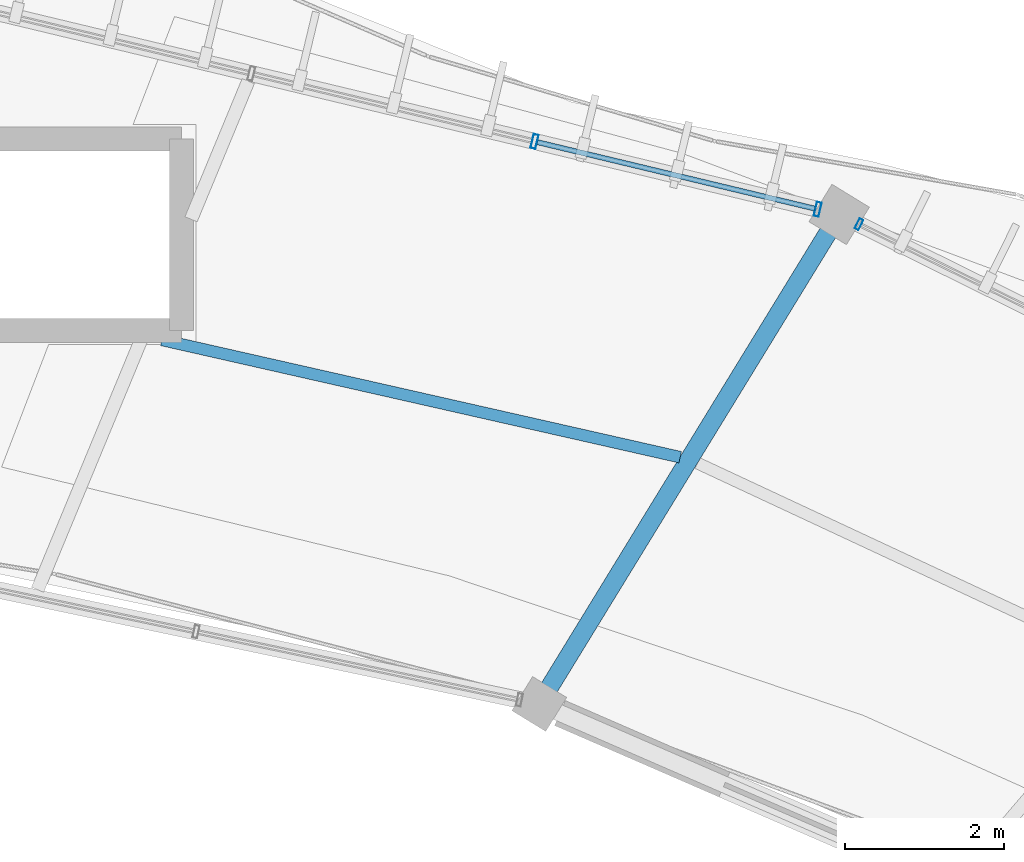
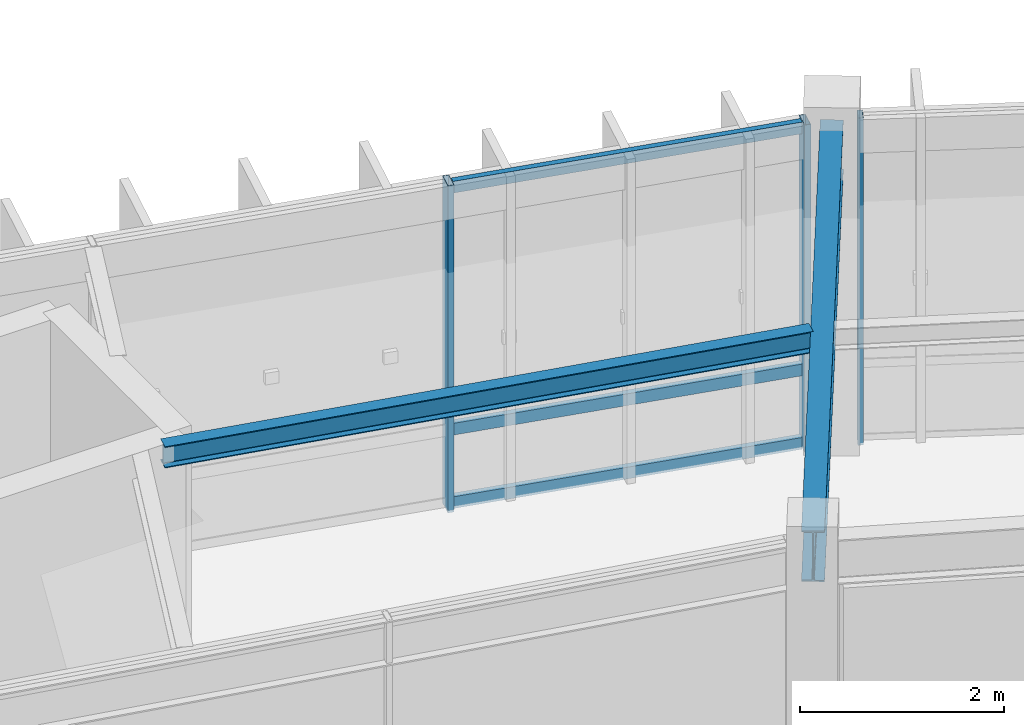
# One storey, part 57 of 79: 6 members, 2 beams, 2 elements without a shape of their own.
"""IFC4 building model written with IfcOpenShell, lengths in metres."""

from ifc_helpers import new_model, si_unit, direction, frame, origin, origin_2d, place, context, subcontext, project, spatial, hollow_rectangle, i_section, extrude, material, material_profile, profile_set, type_object, element, aggregate, save


model = new_model("IFC4")

# Units and contexts
model_context = context("Model", 3, precision=1e-05, world=origin(), true_north=direction((0.0, 1.0)))
body_context = subcontext(model_context, "Body", "Model", "MODEL_VIEW")
ifc_project = project(units=[si_unit("LENGTHUNIT", "METRE"), si_unit("AREAUNIT", "SQUARE_METRE"), si_unit("VOLUMEUNIT", "CUBIC_METRE"), si_unit("PLANEANGLEUNIT", "RADIAN"), si_unit("MASSUNIT", "GRAM", prefix="KILO"), si_unit("THERMODYNAMICTEMPERATUREUNIT", "KELVIN"), si_unit("POWERUNIT", "WATT")], contexts=[model_context])

# Site, building, storey
site_placement = place(None, origin())
site = spatial("IfcSite", under=ifc_project, at=site_placement, CompositionType="ELEMENT")
building_placement = place(site_placement, origin())
building = spatial("IfcBuilding", under=site, at=building_placement, Name="Darbajah Civic Hall", CompositionType="ELEMENT")
storey_placement = place(building_placement, frame((0.0, 0.0, 22.199951171875)))
storey = spatial("IfcBuildingStorey", under=building, at=storey_placement, Name="L05", CompositionType="ELEMENT", Elevation=22.199951171875)

# Curtain wall, member
ifc_material_1 = material(Name="Anodised Bronze Aluminium and Low-E Glazing", Category="aluminium")
curtain_wall_type_1 = type_object("IfcCurtainWallType", Name="Unitised Curtain Wall CW-79 13000x3900", PredefinedType="USERDEFINED", material=ifc_material_1)
curtain_wall_1_placement = place(storey_placement, origin())
curtain_wall_1 = element("IfcCurtainWall", 1, at=curtain_wall_1_placement, inside=storey, type_object=curtain_wall_type_1, Name="L05 unitised curtain wall CW-V1O-L05-02", ObjectType="UNITISED CURTAIN WALL", PredefinedType="USERDEFINED")
ifc_material_2 = material(Name="Anodised Bronze Aluminium", Category="aluminium")
ifc_material_profile_1 = material_profile(ifc_material_2, hollow_rectangle(XDim=0.054931640625, YDim=0.139892578125, WallThickness=0.003173828125, at=origin_2d()), Name="ALU MULLION 55x140")
ifc_profile_set_1 = profile_set([ifc_material_profile_1], Name="Anodised Bronze Aluminium")
member_type_1 = type_object("IfcMemberType", Name="ALU MULLION 55x140", PredefinedType="MULLION", material=ifc_profile_set_1)
member_1_placement = place(storey_placement, frame((115.99560546875, 114.830078125, 0.0), z_axis=(0.0, 0.0, 1.0), x_axis=(-0.89656374724, 0.442914717678, 0.0)))
member_1 = element("IfcMember", 2, at=member_1_placement, type_object=member_type_1, Name="CW-V1O-L05-02 mullion 5", PredefinedType="MULLION", context=body_context, shape_type="SweptSolid", body=[
    extrude(hollow_rectangle(XDim=0.054931640625, YDim=0.139892578125, WallThickness=0.003173828125, at=origin_2d()), origin(), (0.0, 0.0, 1.0), 3.920166015625),
])
aggregate(curtain_wall_1, [member_1])

# Curtain wall, members
curtain_wall_type_2 = type_object("IfcCurtainWallType", Name="Unitised Curtain Wall CW-64 14600x3900", PredefinedType="USERDEFINED", material=ifc_material_1)
curtain_wall_2_placement = place(storey_placement, origin())
curtain_wall_2 = element("IfcCurtainWall", 3, at=curtain_wall_2_placement, inside=storey, type_object=curtain_wall_type_2, Name="L05 unitised curtain wall CW-V1O-L05-03", ObjectType="UNITISED CURTAIN WALL", PredefinedType="USERDEFINED")
ifc_material_profile_2 = material_profile(ifc_material_2, hollow_rectangle(XDim=0.06494140625, YDim=0.179931640625, WallThickness=0.00390625, at=origin_2d()), Name="ALU MULLION 65x180")
ifc_profile_set_2 = profile_set([ifc_material_profile_2], Name="Anodised Bronze Aluminium")
member_type_2 = type_object("IfcMemberType", Name="ALU MULLION 65x180", PredefinedType="MULLION", material=ifc_profile_set_2)
member_2_placement = place(storey_placement, frame((115.47802734375, 115.017333984375, 0.0), z_axis=(0.0, 0.0, 1.0), x_axis=(-0.972492018808, 0.232936200179, 0.0)))
member_2 = element("IfcMember", 4, at=member_2_placement, type_object=member_type_2, Name="CW-V1O-L05-03 mullion 1", PredefinedType="MULLION", context=body_context, shape_type="SweptSolid", body=[
    extrude(hollow_rectangle(XDim=0.06494140625, YDim=0.179931640625, WallThickness=0.00390625, at=origin_2d()), origin(), (0.0, 0.0, 1.0), 3.920166015625),
])
member_3_placement = place(storey_placement, frame((111.92724609375, 115.8681640625, 0.0), z_axis=(0.0, 0.0, 1.0), x_axis=(-0.972492018808, 0.232936200179, 0.0)))
member_3 = element("IfcMember", 5, at=member_3_placement, type_object=member_type_2, Name="CW-V1O-L05-03 mullion 2", PredefinedType="MULLION", context=body_context, shape_type="SweptSolid", body=[
    extrude(hollow_rectangle(XDim=0.06494140625, YDim=0.179931640625, WallThickness=0.00390625, at=origin_2d()), origin(), (0.0, 0.0, 1.0), 3.920166015625),
])
ifc_material_profile_3 = material_profile(ifc_material_2, hollow_rectangle(XDim=0.06494140625, YDim=0.139892578125, WallThickness=0.00341796875, at=origin_2d()), Name="ALU TRANSOM 65x140")
ifc_profile_set_3 = profile_set([ifc_material_profile_3], Name="Anodised Bronze Aluminium")
member_type_3 = type_object("IfcMemberType", Name="ALU TRANSOM 65x140", PredefinedType="USERDEFINED", material=ifc_profile_set_3)
member_4_placement = place(storey_placement, frame((115.44140625, 115.026123046875, 0.070068359375), z_axis=(-0.972477083348, 0.232998545838, 0.0), x_axis=(-0.232998545838, -0.972477083348, 0.0)))
member_4 = element("IfcMember", 6, at=member_4_placement, type_object=member_type_3, Name="CW-V1O-L05-03 transom 1.1", ObjectType="TRANSOM", PredefinedType="USERDEFINED", context=body_context, shape_type="SweptSolid", body=[
    extrude(hollow_rectangle(XDim=0.06494140625, YDim=0.139892578125, WallThickness=0.00341796875, at=origin_2d()), origin(), (0.0, 0.0, 1.0), 3.576171875),
])
member_5_placement = place(storey_placement, frame((115.44140625, 115.026123046875, 0.949951171875), z_axis=(-0.972477083348, 0.232998545838, 0.0), x_axis=(-0.232998545838, -0.972477083348, 0.0)))
member_5 = element("IfcMember", 7, at=member_5_placement, type_object=member_type_3, Name="CW-V1O-L05-03 transom 1.2", ObjectType="TRANSOM", PredefinedType="USERDEFINED", context=body_context, shape_type="SweptSolid", body=[
    extrude(hollow_rectangle(XDim=0.06494140625, YDim=0.139892578125, WallThickness=0.00341796875, at=origin_2d()), origin(), (0.0, 0.0, 1.0), 3.576171875),
])
member_6_placement = place(storey_placement, frame((115.44140625, 115.026123046875, 3.85009765625), z_axis=(-0.972477083348, 0.232998545838, 0.0), x_axis=(-0.232998545838, -0.972477083348, 0.0)))
member_6 = element("IfcMember", 8, at=member_6_placement, type_object=member_type_3, Name="CW-V1O-L05-03 transom 1.3", ObjectType="TRANSOM", PredefinedType="USERDEFINED", context=body_context, shape_type="SweptSolid", body=[
    extrude(hollow_rectangle(XDim=0.06494140625, YDim=0.139892578125, WallThickness=0.00341796875, at=origin_2d()), origin(), (0.0, 0.0, 1.0), 3.576171875),
])
aggregate(curtain_wall_2, [member_2, member_3, member_4, member_5, member_6])

# Beams
ifc_material_3 = material(Name="Steel S355JR", Category="steel")
ifc_material_profile_4 = material_profile(ifc_material_3, i_section(OverallWidth=0.146484375, OverallDepth=0.256103515625, WebThickness=0.00634765625, FlangeThickness=0.010986328125, FilletRadius=0.007568359375, at=origin_2d()), Name="UB 254x146x37")
ifc_profile_set_4 = profile_set([ifc_material_profile_4], Name="Steel S355JR")
beam_type_1 = type_object("IfcBeamType", Name="UB 254x146x37", PredefinedType="JOIST", material=ifc_profile_set_4)
beam_1_placement = place(storey_placement, frame((113.75341796875, 111.908935546875, 3.7919921875), z_axis=(-0.975333988731, 0.220734252953, 0.0), x_axis=(-0.220734252953, -0.975333988731, 0.0)))
element("IfcBeam", 9, at=beam_1_placement, inside=storey, type_object=beam_type_1, Name="L05 beam SJ-254", PredefinedType="JOIST", context=body_context, shape_type="SweptSolid", body=[
    extrude(i_section(OverallWidth=0.146484375, OverallDepth=0.256103515625, WebThickness=0.00634765625, FlangeThickness=0.010986328125, FilletRadius=0.007568359375, at=origin_2d()), origin(), (0.0, 0.0, 1.0), 6.663818359375),
])
ifc_material_profile_5 = material_profile(ifc_material_3, i_section(OverallWidth=0.228271484375, OverallDepth=0.607666015625, WebThickness=0.010986328125, FlangeThickness=0.017333984375, FilletRadius=0.0126953125, at=origin_2d()), Name="UB 610x229x113")
ifc_profile_set_5 = profile_set([ifc_material_profile_5], Name="Steel S355JR")
beam_type_2 = type_object("IfcBeamType", Name="UB 610x229x113", PredefinedType="BEAM", material=ifc_profile_set_5)
beam_2_placement = place(storey_placement, frame((112.027099609375, 108.882080078125, 3.6162109375), z_axis=(0.522500254411, 0.852639128905, 0.0), x_axis=(-0.852639128905, 0.522500254411, 0.0)))
element("IfcBeam", 10, at=beam_2_placement, inside=storey, type_object=beam_type_2, Name="L05 beam SB-610", PredefinedType="BEAM", context=body_context, shape_type="SweptSolid", body=[
    extrude(i_section(OverallWidth=0.228271484375, OverallDepth=0.607666015625, WebThickness=0.010986328125, FlangeThickness=0.017333984375, FilletRadius=0.0126953125, at=origin_2d()), origin(), (0.0, 0.0, 1.0), 7.0400390625),
])

save(model, "model.ifc")
